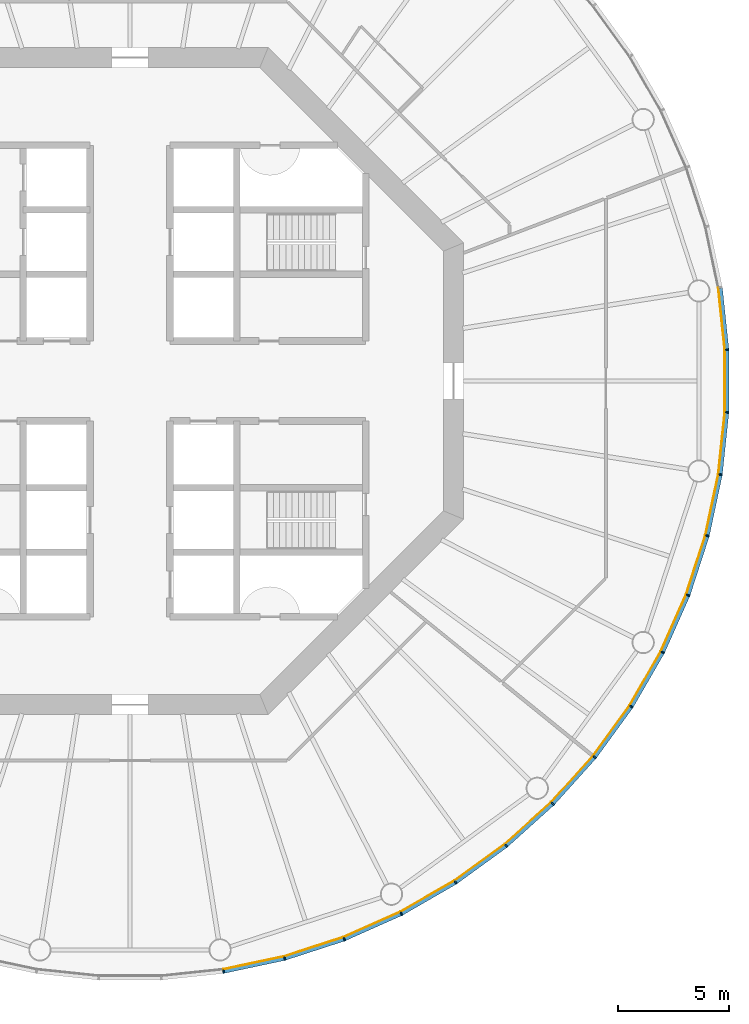
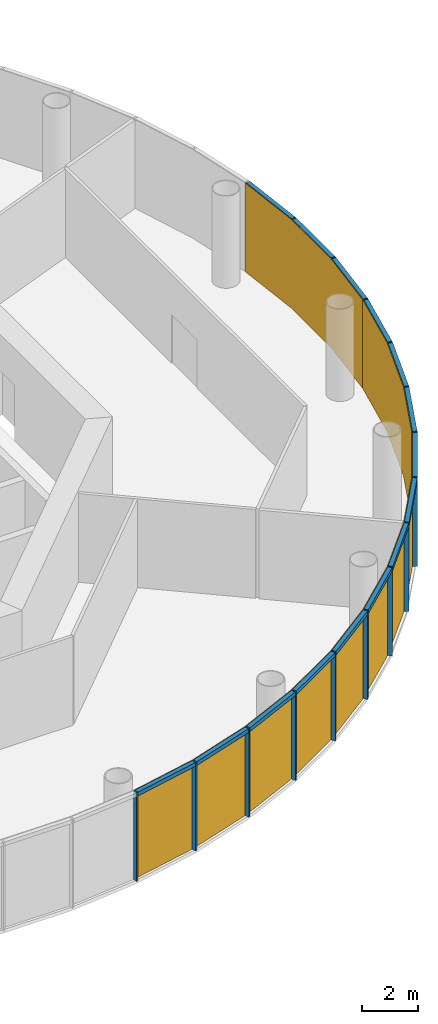
# One storey, part 8 of 12: 30 members, 5 curtain walls.
"""IFC4 building model written with IfcOpenShell, lengths in metres."""

from ifc_helpers import new_model, si_unit, direction, frame, origin, origin_2d, place, context, subcontext, project, spatial, polyline, rectangle, outline, extrude, material, layer, layer_set, material_profile, profile_set, type_object, element, aggregate, save


model = new_model("IFC4")

# Units and contexts
model_context = context("Model", 3, precision=1e-05, world=origin(), true_north=direction((0.0, 1.0)))
body_context = subcontext(model_context, "Body", "Model", "MODEL_VIEW")
ifc_project = project(units=[si_unit("LENGTHUNIT", "METRE"), si_unit("AREAUNIT", "SQUARE_METRE"), si_unit("VOLUMEUNIT", "CUBIC_METRE"), si_unit("PLANEANGLEUNIT", "RADIAN"), si_unit("MASSUNIT", "GRAM", prefix="KILO")], contexts=[model_context])

# Member
ifc_material_1 = material(Name="Anodised aluminium", Category="aluminium")
ifc_material_profile_1 = material_profile(ifc_material_1, rectangle(XDim=0.06005859375, YDim=0.169921875, at=origin_2d()), Name="Mullion 60 x 170 mm anodised aluminium")
ifc_profile_set_1 = profile_set([ifc_material_profile_1], Name="Anodised aluminium")
member_type_1 = type_object("IfcMemberType", Name="Mullion 60 x 170 mm anodised aluminium", PredefinedType="MULLION", material=ifc_profile_set_1)
site_placement = place(None, origin())
building_placement = place(site_placement, origin())
storey_placement = place(building_placement, frame((0.0, 0.0, 210.0)))
member_1_placement = place(storey_placement, frame((94.205810546875, 53.446044921875, 0.0), z_axis=(0.0, 0.0, 1.0), x_axis=(0.987688340595, 0.15643446504, 0.0)))
member_1 = element("IfcMember", 1, at=member_1_placement, type_object=member_type_1, Name="MULLION L48-45", PredefinedType="MULLION", context=body_context, shape_type="SweptSolid", body=[
    extrude(rectangle(XDim=0.06005859375, YDim=0.169921875, at=origin_2d()), origin(), (0.0, 0.0, 1.0), 3.85009765625),
])

member_2_placement = place(storey_placement, frame((96.958251953125, 54.031005859375, 0.0), z_axis=(0.0, 0.0, 1.0), x_axis=(0.965925826289, 0.258819045103, 0.0)))
member_2 = element("IfcMember", 2, at=member_2_placement, type_object=member_type_1, Name="MULLION L48-46", PredefinedType="MULLION", context=body_context, shape_type="SweptSolid", body=[
    extrude(rectangle(XDim=0.06005859375, YDim=0.169921875, at=origin_2d()), origin(), (0.0, 0.0, 1.0), 3.85009765625),
])

member_3_placement = place(storey_placement, frame((99.634765625, 54.900634765625, 0.0), z_axis=(0.0, 0.0, 1.0), x_axis=(0.933580426497, 0.358367949545, 0.0)))
member_3 = element("IfcMember", 3, at=member_3_placement, type_object=member_type_1, Name="MULLION L48-47", PredefinedType="MULLION", context=body_context, shape_type="SweptSolid", body=[
    extrude(rectangle(XDim=0.06005859375, YDim=0.169921875, at=origin_2d()), origin(), (0.0, 0.0, 1.0), 3.85009765625),
])

member_4_placement = place(storey_placement, frame((102.20556640625, 56.04541015625, 0.0), z_axis=(0.0, 0.0, 1.0), x_axis=(0.891006524188, 0.45399049974, 0.0)))
member_4 = element("IfcMember", 4, at=member_4_placement, type_object=member_type_1, Name="MULLION L48-48", PredefinedType="MULLION", context=body_context, shape_type="SweptSolid", body=[
    extrude(rectangle(XDim=0.06005859375, YDim=0.169921875, at=origin_2d()), origin(), (0.0, 0.0, 1.0), 3.85009765625),
])

member_5_placement = place(storey_placement, frame((104.642578125, 57.452392578125, 0.0), z_axis=(0.0, 0.0, 1.0), x_axis=(0.838670567945, 0.544639035015, 0.0)))
member_5 = element("IfcMember", 5, at=member_5_placement, type_object=member_type_1, Name="MULLION L48-49", PredefinedType="MULLION", context=body_context, shape_type="SweptSolid", body=[
    extrude(rectangle(XDim=0.06005859375, YDim=0.169921875, at=origin_2d()), origin(), (0.0, 0.0, 1.0), 3.85009765625),
])

member_6_placement = place(storey_placement, frame((106.919189453125, 59.1064453125, 0.0), z_axis=(0.0, 0.0, 1.0), x_axis=(0.777145961457, 0.62932039105, 0.0)))
member_6 = element("IfcMember", 6, at=member_6_placement, type_object=member_type_1, Name="MULLION L48-50", PredefinedType="MULLION", context=body_context, shape_type="SweptSolid", body=[
    extrude(rectangle(XDim=0.06005859375, YDim=0.169921875, at=origin_2d()), origin(), (0.0, 0.0, 1.0), 3.85009765625),
])

member_7_placement = place(storey_placement, frame((109.010498046875, 60.989501953125, 0.0), z_axis=(0.0, 0.0, 1.0), x_axis=(0.707106781187, 0.707106781187, 0.0)))
member_7 = element("IfcMember", 7, at=member_7_placement, type_object=member_type_1, Name="MULLION L48-51", PredefinedType="MULLION", context=body_context, shape_type="SweptSolid", body=[
    extrude(rectangle(XDim=0.06005859375, YDim=0.169921875, at=origin_2d()), origin(), (0.0, 0.0, 1.0), 3.85009765625),
])

member_8_placement = place(storey_placement, frame((110.8935546875, 63.080810546875, 0.0), z_axis=(0.0, 0.0, 1.0), x_axis=(0.62932039105, 0.777145961457, 0.0)))
member_8 = element("IfcMember", 8, at=member_8_placement, type_object=member_type_1, Name="MULLION L48-52", PredefinedType="MULLION", context=body_context, shape_type="SweptSolid", body=[
    extrude(rectangle(XDim=0.06005859375, YDim=0.169921875, at=origin_2d()), origin(), (0.0, 0.0, 1.0), 3.85009765625),
])

member_9_placement = place(storey_placement, frame((112.547607421875, 65.357421875, 0.0), z_axis=(0.0, 0.0, 1.0), x_axis=(0.544639035015, 0.838670567945, 0.0)))
member_9 = element("IfcMember", 9, at=member_9_placement, type_object=member_type_1, Name="MULLION L48-53", PredefinedType="MULLION", context=body_context, shape_type="SweptSolid", body=[
    extrude(rectangle(XDim=0.06005859375, YDim=0.169921875, at=origin_2d()), origin(), (0.0, 0.0, 1.0), 3.85009765625),
])

member_10_placement = place(storey_placement, frame((113.95458984375, 67.79443359375, 0.0), z_axis=(0.0, 0.0, 1.0), x_axis=(0.45399049974, 0.891006524188, 0.0)))
member_10 = element("IfcMember", 10, at=member_10_placement, type_object=member_type_1, Name="MULLION L48-54", PredefinedType="MULLION", context=body_context, shape_type="SweptSolid", body=[
    extrude(rectangle(XDim=0.06005859375, YDim=0.169921875, at=origin_2d()), origin(), (0.0, 0.0, 1.0), 3.85009765625),
])

member_11_placement = place(storey_placement, frame((115.099365234375, 70.365234375, 0.0), z_axis=(0.0, 0.0, 1.0), x_axis=(0.358367949545, 0.933580426497, 0.0)))
member_11 = element("IfcMember", 11, at=member_11_placement, type_object=member_type_1, Name="MULLION L48-55", PredefinedType="MULLION", context=body_context, shape_type="SweptSolid", body=[
    extrude(rectangle(XDim=0.06005859375, YDim=0.169921875, at=origin_2d()), origin(), (0.0, 0.0, 1.0), 3.85009765625),
])

member_12_placement = place(storey_placement, frame((115.968994140625, 73.041748046875, 0.0), z_axis=(0.0, 0.0, 1.0), x_axis=(0.258819045103, 0.965925826289, 0.0)))
member_12 = element("IfcMember", 12, at=member_12_placement, type_object=member_type_1, Name="MULLION L48-56", PredefinedType="MULLION", context=body_context, shape_type="SweptSolid", body=[
    extrude(rectangle(XDim=0.06005859375, YDim=0.169921875, at=origin_2d()), origin(), (0.0, 0.0, 1.0), 3.85009765625),
])

member_13_placement = place(storey_placement, frame((116.553955078125, 75.794189453125, 0.0), z_axis=(0.0, 0.0, 1.0), x_axis=(0.15643446504, 0.987688340595, 0.0)))
member_13 = element("IfcMember", 13, at=member_13_placement, type_object=member_type_1, Name="MULLION L48-57", PredefinedType="MULLION", context=body_context, shape_type="SweptSolid", body=[
    extrude(rectangle(XDim=0.06005859375, YDim=0.169921875, at=origin_2d()), origin(), (0.0, 0.0, 1.0), 3.85009765625),
])

member_14_placement = place(storey_placement, frame((116.84814453125, 78.593017578125, 0.0), z_axis=(0.0, 0.0, 1.0), x_axis=(0.052335956243, 0.998629534755, 0.0)))
member_14 = element("IfcMember", 14, at=member_14_placement, type_object=member_type_1, Name="MULLION L48-58", PredefinedType="MULLION", context=body_context, shape_type="SweptSolid", body=[
    extrude(rectangle(XDim=0.06005859375, YDim=0.169921875, at=origin_2d()), origin(), (0.0, 0.0, 1.0), 3.85009765625),
])

member_15_placement = place(storey_placement, frame((116.84814453125, 81.406982421875, 0.0), z_axis=(0.0, 0.0, 1.0), x_axis=(-0.052335956243, 0.998629534755, 0.0)))
member_15 = element("IfcMember", 15, at=member_15_placement, type_object=member_type_1, Name="MULLION L48-59", PredefinedType="MULLION", context=body_context, shape_type="SweptSolid", body=[
    extrude(rectangle(XDim=0.06005859375, YDim=0.169921875, at=origin_2d()), origin(), (0.0, 0.0, 1.0), 3.85009765625),
])

ifc_material_2 = material(Name="Anodised aluminium", Category="aluminium")
ifc_material_profile_2 = material_profile(ifc_material_2, rectangle(XDim=0.169921875, YDim=0.1650390625, at=origin_2d()), Name="Transom 165 x 170 mm anodised aluminium")
ifc_profile_set_2 = profile_set([ifc_material_profile_2], Name="Anodised aluminium")
member_type_2 = type_object("IfcMemberType", Name="Transom 165 x 170 mm anodised aluminium", PredefinedType="USERDEFINED", material=ifc_profile_set_2)
member_16_placement = place(storey_placement, frame((94.239501953125, 53.453125, 3.767578125), z_axis=(0.97814212115, 0.207937468562, 0.0), x_axis=(-0.207937468562, 0.97814212115, 0.0)))
member_16 = element("IfcMember", 16, at=member_16_placement, type_object=member_type_2, Name="TRANSOM L48-45", ObjectType="TRANSOM", PredefinedType="USERDEFINED", context=body_context, shape_type="SweptSolid", body=[
    extrude(rectangle(XDim=0.169921875, YDim=0.1650390625, at=origin_2d()), origin(), (0.0, 0.0, 1.0), 2.7451171875),
])

member_17_placement = place(storey_placement, frame((96.9912109375, 54.04150390625, 3.767578125), z_axis=(0.951048445774, 0.309041831781, 0.0), x_axis=(-0.309041831781, 0.951048445774, 0.0)))
member_17 = element("IfcMember", 17, at=member_17_placement, type_object=member_type_2, Name="TRANSOM L48-46", ObjectType="TRANSOM", PredefinedType="USERDEFINED", context=body_context, shape_type="SweptSolid", body=[
    extrude(rectangle(XDim=0.169921875, YDim=0.1650390625, at=origin_2d()), origin(), (0.0, 0.0, 1.0), 2.7451171875),
])

member_18_placement = place(storey_placement, frame((99.666259765625, 54.91455078125, 3.767578125), z_axis=(0.913525267704, 0.406781987391, 0.0), x_axis=(-0.406781987391, 0.913525267704, 0.0)))
member_18 = element("IfcMember", 18, at=member_18_placement, type_object=member_type_2, Name="TRANSOM L48-47", ObjectType="TRANSOM", PredefinedType="USERDEFINED", context=body_context, shape_type="SweptSolid", body=[
    extrude(rectangle(XDim=0.169921875, YDim=0.1650390625, at=origin_2d()), origin(), (0.0, 0.0, 1.0), 2.7451171875),
])

member_19_placement = place(storey_placement, frame((102.2353515625, 56.0625, 3.767578125), z_axis=(0.866034527326, 0.49998419723, 0.0), x_axis=(-0.49998419723, 0.866034527326, 0.0)))
member_19 = element("IfcMember", 19, at=member_19_placement, type_object=member_type_2, Name="TRANSOM L48-48", ObjectType="TRANSOM", PredefinedType="USERDEFINED", context=body_context, shape_type="SweptSolid", body=[
    extrude(rectangle(XDim=0.169921875, YDim=0.1650390625, at=origin_2d()), origin(), (0.0, 0.0, 1.0), 2.7451171875),
])

member_20_placement = place(storey_placement, frame((104.670654296875, 57.472412109375, 3.767578125), z_axis=(0.808959086484, 0.587864947412, 0.0), x_axis=(-0.587864947412, 0.808959086484, 0.0)))
member_20 = element("IfcMember", 20, at=member_20_placement, type_object=member_type_2, Name="TRANSOM L48-49", ObjectType="TRANSOM", PredefinedType="USERDEFINED", context=body_context, shape_type="SweptSolid", body=[
    extrude(rectangle(XDim=0.169921875, YDim=0.1650390625, at=origin_2d()), origin(), (0.0, 0.0, 1.0), 2.7451171875),
])

member_21_placement = place(storey_placement, frame((106.945068359375, 59.12939453125, 3.767578125), z_axis=(0.743134927907, 0.669141598561, 0.0), x_axis=(-0.669141598561, 0.743134927907, 0.0)))
member_21 = element("IfcMember", 21, at=member_21_placement, type_object=member_type_2, Name="TRANSOM L48-50", ObjectType="TRANSOM", PredefinedType="USERDEFINED", context=body_context, shape_type="SweptSolid", body=[
    extrude(rectangle(XDim=0.169921875, YDim=0.1650390625, at=origin_2d()), origin(), (0.0, 0.0, 1.0), 2.7451171875),
])

member_22_placement = place(storey_placement, frame((109.03369140625, 61.014892578125, 3.767578125), z_axis=(0.669141598561, 0.743134927907, 0.0), x_axis=(-0.743134927907, 0.669141598561, 0.0)))
member_22 = element("IfcMember", 22, at=member_22_placement, type_object=member_type_2, Name="TRANSOM L48-51", ObjectType="TRANSOM", PredefinedType="USERDEFINED", context=body_context, shape_type="SweptSolid", body=[
    extrude(rectangle(XDim=0.169921875, YDim=0.1650390625, at=origin_2d()), origin(), (0.0, 0.0, 1.0), 2.7451171875),
])

member_23_placement = place(storey_placement, frame((110.913818359375, 63.108642578125, 3.767578125), z_axis=(0.587864947412, 0.808959086484, 0.0), x_axis=(-0.808959086484, 0.587864947412, 0.0)))
member_23 = element("IfcMember", 23, at=member_23_placement, type_object=member_type_2, Name="TRANSOM L48-52", ObjectType="TRANSOM", PredefinedType="USERDEFINED", context=body_context, shape_type="SweptSolid", body=[
    extrude(rectangle(XDim=0.169921875, YDim=0.1650390625, at=origin_2d()), origin(), (0.0, 0.0, 1.0), 2.7451171875),
])

member_24_placement = place(storey_placement, frame((112.56494140625, 65.38720703125, 3.767578125), z_axis=(0.49998419723, 0.866034527326, 0.0), x_axis=(-0.866034527326, 0.49998419723, 0.0)))
member_24 = element("IfcMember", 24, at=member_24_placement, type_object=member_type_2, Name="TRANSOM L48-53", ObjectType="TRANSOM", PredefinedType="USERDEFINED", context=body_context, shape_type="SweptSolid", body=[
    extrude(rectangle(XDim=0.169921875, YDim=0.1650390625, at=origin_2d()), origin(), (0.0, 0.0, 1.0), 2.7451171875),
])

member_25_placement = place(storey_placement, frame((113.96875, 67.825927734375, 3.767578125), z_axis=(0.406781987391, 0.913525267704, 0.0), x_axis=(-0.913525267704, 0.406781987391, 0.0)))
member_25 = element("IfcMember", 25, at=member_25_placement, type_object=member_type_2, Name="TRANSOM L48-54", ObjectType="TRANSOM", PredefinedType="USERDEFINED", context=body_context, shape_type="SweptSolid", body=[
    extrude(rectangle(XDim=0.169921875, YDim=0.1650390625, at=origin_2d()), origin(), (0.0, 0.0, 1.0), 2.7451171875),
])

member_26_placement = place(storey_placement, frame((115.110107421875, 70.39794921875, 3.767578125), z_axis=(0.309041831781, 0.951048445774, 0.0), x_axis=(-0.951048445774, 0.309041831781, 0.0)))
member_26 = element("IfcMember", 26, at=member_26_placement, type_object=member_type_2, Name="TRANSOM L48-55", ObjectType="TRANSOM", PredefinedType="USERDEFINED", context=body_context, shape_type="SweptSolid", body=[
    extrude(rectangle(XDim=0.169921875, YDim=0.1650390625, at=origin_2d()), origin(), (0.0, 0.0, 1.0), 2.7451171875),
])

member_27_placement = place(storey_placement, frame((115.97607421875, 73.075439453125, 3.767578125), z_axis=(0.207937468562, 0.97814212115, 0.0), x_axis=(-0.97814212115, 0.207937468562, 0.0)))
member_27 = element("IfcMember", 27, at=member_27_placement, type_object=member_type_2, Name="TRANSOM L48-56", ObjectType="TRANSOM", PredefinedType="USERDEFINED", context=body_context, shape_type="SweptSolid", body=[
    extrude(rectangle(XDim=0.169921875, YDim=0.1650390625, at=origin_2d()), origin(), (0.0, 0.0, 1.0), 2.7451171875),
])

member_28_placement = place(storey_placement, frame((116.5576171875, 75.82861328125, 3.767578125), z_axis=(0.104592190102, 0.994515195344, 0.0), x_axis=(-0.994515195344, 0.104592190102, 0.0)))
member_28 = element("IfcMember", 28, at=member_28_placement, type_object=member_type_2, Name="TRANSOM L48-57", ObjectType="TRANSOM", PredefinedType="USERDEFINED", context=body_context, shape_type="SweptSolid", body=[
    extrude(rectangle(XDim=0.169921875, YDim=0.1650390625, at=origin_2d()), origin(), (0.0, 0.0, 1.0), 2.7451171875),
])

member_29_placement = place(storey_placement, frame((116.848388671875, 78.62744140625, 3.767578125), z_axis=(0.0, 1.0, 0.0), x_axis=(-1.0, 0.0, 0.0)))
member_29 = element("IfcMember", 29, at=member_29_placement, type_object=member_type_2, Name="TRANSOM L48-58", ObjectType="TRANSOM", PredefinedType="USERDEFINED", context=body_context, shape_type="SweptSolid", body=[
    extrude(rectangle(XDim=0.169921875, YDim=0.1650390625, at=origin_2d()), origin(), (0.0, 0.0, 1.0), 2.7451171875),
])

member_30_placement = place(storey_placement, frame((116.8447265625, 81.44140625, 3.767578125), z_axis=(-0.104592190102, 0.994515195344, 0.0), x_axis=(-0.994515195344, -0.104592190102, 0.0)))
member_30 = element("IfcMember", 30, at=member_30_placement, type_object=member_type_2, Name="TRANSOM L48-59", ObjectType="TRANSOM", PredefinedType="USERDEFINED", context=body_context, shape_type="SweptSolid", body=[
    extrude(rectangle(XDim=0.169921875, YDim=0.1650390625, at=origin_2d()), origin(), (0.0, 0.0, 1.0), 2.7451171875),
])

# Site, building, storey
site = spatial("IfcSite", under=ifc_project, at=site_placement, CompositionType="ELEMENT")
building = spatial("IfcBuilding", under=site, at=building_placement, Name="Entoto Ring Tower", CompositionType="ELEMENT")
storey = spatial("IfcBuildingStorey", under=building, at=storey_placement, Name="L48", CompositionType="ELEMENT", Elevation=210.0)

# Curtain wall
ifc_material_3 = material(Name="Clear low-iron glass", Category="glass")
ifc_layer = layer(ifc_material_3, 0.031982421875)
ifc_layer_set = layer_set([ifc_layer], Name="Clear low-iron glass")
curtain_wall_type = type_object("IfcCurtainWallType", Name="Curtain wall system CW4 glazing 32 mm", PredefinedType="NOTDEFINED", material=ifc_layer_set)
curtain_wall_1_placement = place(storey_placement, origin())
curtain_wall_1 = element("IfcCurtainWall", 31, at=curtain_wall_1_placement, inside=storey, type_object=curtain_wall_type, Name="CW4 L48-16", PredefinedType="NOTDEFINED", context=body_context, shape_type="SweptSolid", body=[
    extrude(outline(polyline([(94.1923828125, 53.530029296875), (96.936279296875, 54.11328125), (99.604248046875, 54.97998046875), (102.1669921875, 56.12109375), (102.15234375, 56.149658203125), (99.5927734375, 55.010009765625), (96.927978515625, 54.14404296875), (94.1875, 53.5615234375), (94.1923828125, 53.530029296875)])), origin(), (0.0, 0.0, 1.0), 3.85009765625),
])

aggregate(curtain_wall_1, [member_1, member_2, member_3, member_16, member_17, member_18])

curtain_wall_2_placement = place(storey_placement, origin())
curtain_wall_2 = element("IfcCurtainWall", 32, at=curtain_wall_2_placement, inside=storey, type_object=curtain_wall_type, Name="CW4 L48-17", PredefinedType="NOTDEFINED", context=body_context, shape_type="SweptSolid", body=[
    extrude(outline(polyline([(102.1669921875, 56.12109375), (104.596435546875, 57.523681640625), (106.86572265625, 59.172607421875), (108.950439453125, 61.049560546875), (108.927734375, 61.072265625), (106.845703125, 59.197509765625), (104.578857421875, 57.550537109375), (102.15234375, 56.149658203125), (102.1669921875, 56.12109375)])), origin(), (0.0, 0.0, 1.0), 3.85009765625),
])

aggregate(curtain_wall_2, [member_4, member_5, member_6, member_19, member_20, member_21])

curtain_wall_3_placement = place(storey_placement, origin())
curtain_wall_3 = element("IfcCurtainWall", 33, at=curtain_wall_3_placement, inside=storey, type_object=curtain_wall_type, Name="CW4 L48-18", PredefinedType="NOTDEFINED", context=body_context, shape_type="SweptSolid", body=[
    extrude(outline(polyline([(108.950439453125, 61.049560546875), (110.827392578125, 63.13427734375), (112.476318359375, 65.403564453125), (113.87890625, 67.8330078125), (113.850341796875, 67.84765625), (112.449462890625, 65.421142578125), (110.802490234375, 63.154296875), (108.927734375, 61.072265625), (108.950439453125, 61.049560546875)])), origin(), (0.0, 0.0, 1.0), 3.85009765625),
])

aggregate(curtain_wall_3, [member_7, member_8, member_9, member_22, member_23, member_24])

curtain_wall_4_placement = place(storey_placement, origin())
curtain_wall_4 = element("IfcCurtainWall", 34, at=curtain_wall_4_placement, inside=storey, type_object=curtain_wall_type, Name="CW4 L48-19", PredefinedType="NOTDEFINED", context=body_context, shape_type="SweptSolid", body=[
    extrude(outline(polyline([(113.87890625, 67.8330078125), (115.02001953125, 70.395751953125), (115.88671875, 73.063720703125), (116.469970703125, 75.8076171875), (116.4384765625, 75.8125), (115.85595703125, 73.072021484375), (114.989990234375, 70.4072265625), (113.850341796875, 67.84765625), (113.87890625, 67.8330078125)])), origin(), (0.0, 0.0, 1.0), 3.85009765625),
])

aggregate(curtain_wall_4, [member_10, member_11, member_12, member_25, member_26, member_27])

curtain_wall_5_placement = place(storey_placement, origin())
curtain_wall_5 = element("IfcCurtainWall", 35, at=curtain_wall_5_placement, inside=storey, type_object=curtain_wall_type, Name="CW4 L48-20", PredefinedType="NOTDEFINED", context=body_context, shape_type="SweptSolid", body=[
    extrude(outline(polyline([(116.469970703125, 75.8076171875), (116.76318359375, 78.597412109375), (116.76318359375, 81.402587890625), (116.469970703125, 84.1923828125), (116.4384765625, 84.1875), (116.731201171875, 81.40087890625), (116.731201171875, 78.59912109375), (116.4384765625, 75.8125), (116.469970703125, 75.8076171875)])), origin(), (0.0, 0.0, 1.0), 3.85009765625),
])

aggregate(curtain_wall_5, [member_13, member_14, member_15, member_28, member_29, member_30])

save(model, "model.ifc")
